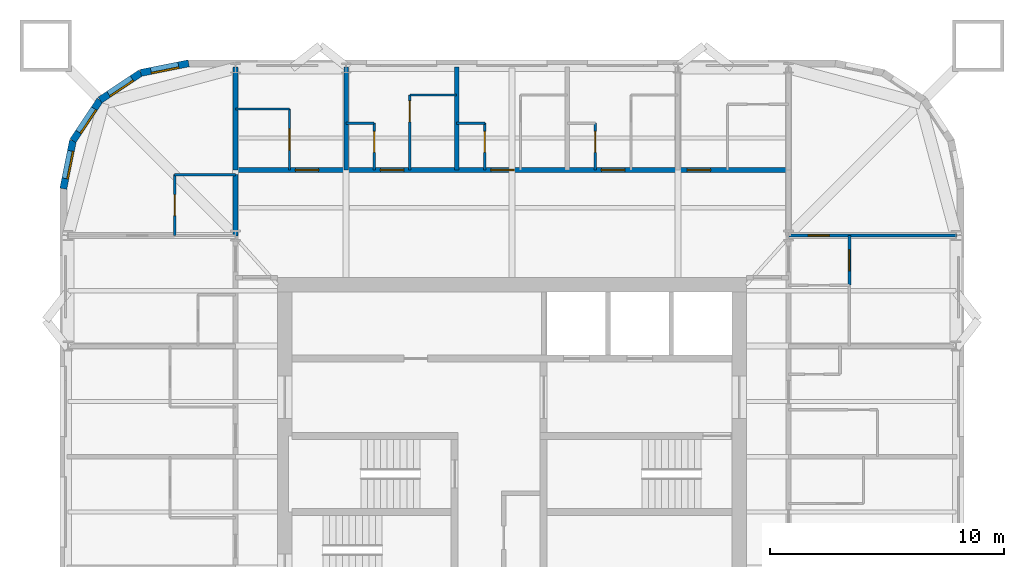
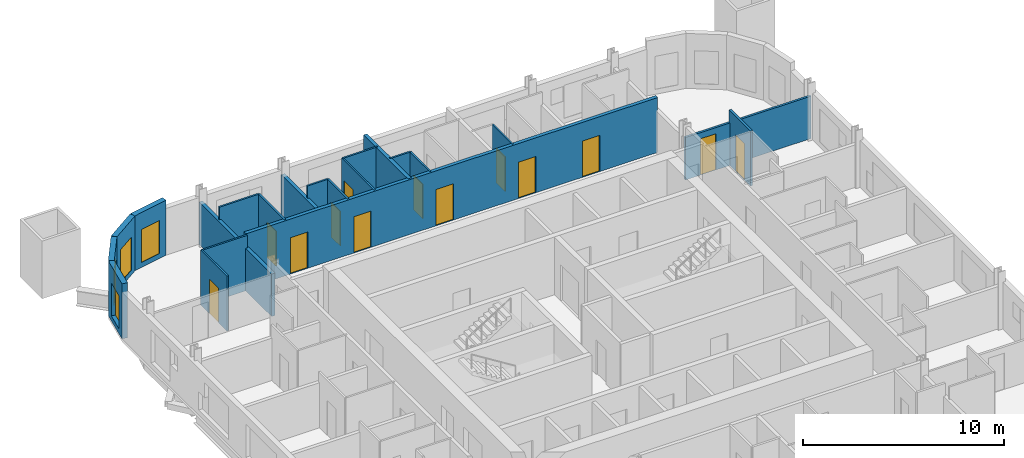
# One storey, part 7 of 10: 22 walls, 13 doors, 4 windows, 17 openings.
"""IFC4 building model written with IfcOpenShell, lengths in metres."""

from ifc_helpers import new_model, si_unit, direction, frame, frame_2d, origin, place, context, subcontext, project, spatial, rectangle, extrude, material, layer, layer_set, type_object, element, fill, save


model = new_model("IFC4")

# Units and contexts
model_context = context("Model", 3, precision=1e-05, world=origin(), true_north=direction((0.0, 1.0)))
body_context = subcontext(model_context, "Body", "Model", "MODEL_VIEW")
ifc_project = project(units=[si_unit("LENGTHUNIT", "METRE"), si_unit("AREAUNIT", "SQUARE_METRE"), si_unit("VOLUMEUNIT", "CUBIC_METRE"), si_unit("PLANEANGLEUNIT", "RADIAN"), si_unit("MASSUNIT", "GRAM", prefix="KILO")], contexts=[model_context])

# Site, building, storey
site_placement = place(None, origin())
site = spatial("IfcSite", under=ifc_project, at=site_placement, CompositionType="ELEMENT")
building_placement = place(site_placement, origin())
building = spatial("IfcBuilding", under=site, at=building_placement, Name="Turquesa Mirador Hotel Tower", CompositionType="ELEMENT")
storey_placement = place(building_placement, frame((0.0, 0.0, 179.300048828125)))
storey = spatial("IfcBuildingStorey", under=building, at=storey_placement, Name="L48", CompositionType="ELEMENT", Elevation=179.300048828125)

# Walls
ifc_material_1 = material(Name="Gypsum board on steel studs", Category="steel")
ifc_layer_1 = layer(ifc_material_1, 0.10009765625)
ifc_layer_set_1 = layer_set([ifc_layer_1], Name="BATHROOM WALL 100")
wall_type_1 = type_object("IfcWallType", Name="BATHROOM WALL 100", PredefinedType="PARTITIONING", material=ifc_layer_set_1)
wall_1_placement = place(storey_placement, frame((40.60009765625, 59.39990234375, 0.0), z_axis=(0.0, 0.0, 1.0), x_axis=(1.0, 0.0, 0.0)))
element("IfcWall", 1, at=wall_1_placement, inside=storey, type_object=wall_type_1, Name="Partition L48 029", PredefinedType="PARTITIONING", context=body_context, shape_type="SweptSolid", body=[
    extrude(rectangle(XDim=2.599853515625, YDim=0.10009765625, at=frame_2d((1.2998046875, 0.0))), origin(), (0.0, 0.0, 1.0), 3.329833984375),
])
for number, where, z_axis, x_axis, name in (
    (2, (47.919921875, 61.60009765625, 0.0), (0.0, 0.0, 1.0), (1.0, 0.0, 0.0), "Partition L48 031"),
    (3, (52.639892578125, 61.60009765625, 0.0), (0.0, 0.0, 1.0), (1.0, 0.0, 0.0), "Partition L48 032"),
):
    element("IfcWall", number, at=place(storey_placement, frame(where, z_axis=z_axis, x_axis=x_axis)), inside=storey, type_object=wall_type_1, Name=name, PredefinedType="PARTITIONING", context=body_context, shape_type="SweptSolid", body=[
        extrude(rectangle(XDim=1.2001953125, YDim=0.10009765625, at=frame_2d((0.60009765625, 0.0))), origin(), (0.0, 0.0, 1.0), 3.329833984375),
    ])
wall_2_placement = place(storey_placement, frame((43.199951171875, 62.199951171875, 0.0), z_axis=(0.0, 0.0, 1.0), x_axis=(1.0, 0.0, 0.0)))
element("IfcWall", 4, at=wall_2_placement, inside=storey, type_object=wall_type_1, Name="Partition L48 034", PredefinedType="PARTITIONING", context=body_context, shape_type="SweptSolid", body=[
    extrude(rectangle(XDim=2.300048828125, YDim=0.10009765625, at=frame_2d((1.14990234375, 0.0))), origin(), (0.0, 0.0, 1.0), 3.329833984375),
])
wall_3_placement = place(storey_placement, frame((50.639892578125, 62.800048828125, 0.0), z_axis=(0.0, 0.0, 1.0), x_axis=(1.0, 0.0, 0.0)))
element("IfcWall", 5, at=wall_3_placement, inside=storey, type_object=wall_type_1, Name="Partition L48 036", PredefinedType="PARTITIONING", context=body_context, shape_type="SweptSolid", body=[
    extrude(rectangle(XDim=2.0, YDim=0.10009765625, at=frame_2d((1.0, 0.0))), origin(), (0.0, 0.0, 1.0), 3.329833984375),
])

# Wall, opening, door
wall_4_placement = place(storey_placement, frame((53.840087890625, 59.60009765625, 0.0), z_axis=(0.0, 0.0, 1.0), x_axis=(0.0, 1.0, 0.0)))
wall_4 = element("IfcWall", 6, at=wall_4_placement, inside=storey, type_object=wall_type_1, Name="Partition L48 048", PredefinedType="PARTITIONING", context=body_context, shape_type="SweptSolid", body=[
    extrude(rectangle(XDim=2.0, YDim=0.10009765625, at=frame_2d((1.0, 0.0))), origin(), (0.0, 0.0, 1.0), 3.329833984375),
])
opening_1_placement = place(wall_4_placement, frame((0.75, 0.0, 0.0)))
opening_1 = element("IfcOpeningElement", 7, at=opening_1_placement, cuts=wall_4, Name="Opening D06", PredefinedType="OPENING", context=body_context, shape_type="SweptSolid", body=[
    extrude(rectangle(XDim=0.89990234375, YDim=2.10009765625, at=frame_2d((0.449951171875, 1.050048828125))), frame((0.0, 0.06005859375, 0.0), z_axis=(0.0, -1.0, 0.0), x_axis=(1.0, 0.0, 0.0)), (0.0, 0.0, 1.0), 0.1201171875),
])
ifc_material_2 = material(Name="Laminate door", Category="wood")
door_type_1 = type_object("IfcDoorType", Name="DOOR 900X2100 WC", OperationType="SINGLE_SWING_LEFT", PredefinedType="DOOR", material=ifc_material_2)
door_1_placement = place(opening_1_placement, origin())
door_1 = element("IfcDoor", 8, at=door_1_placement, inside=storey, type_object=door_type_1, Name="Door 4803W", OperationType="SINGLE_SWING_LEFT", OverallHeight=2.10009765625, OverallWidth=0.89990234375, PredefinedType="DOOR", context=body_context, shape_type="SweptSolid", body=[
    extrude(rectangle(XDim=0.89990234375, YDim=2.10009765625, at=frame_2d((0.449951171875, 1.050048828125))), frame((0.0, 0.02490234375, 0.0), z_axis=(0.0, -1.0, 0.0), x_axis=(1.0, 0.0, 0.0)), (0.0, 0.0, 1.0), 0.050048828125),
])
fill(opening_1, door_1)

wall_5_placement = place(storey_placement, frame((40.60009765625, 56.800048828125, 0.0), z_axis=(0.0, 0.0, 1.0), x_axis=(0.0, 1.0, 0.0)))
wall_5 = element("IfcWall", 9, at=wall_5_placement, inside=storey, type_object=wall_type_1, Name="Partition L48 056", PredefinedType="PARTITIONING", context=body_context, shape_type="SweptSolid", body=[
    extrude(rectangle(XDim=2.599853515625, YDim=0.10009765625, at=frame_2d((1.2998046875, 0.0))), origin(), (0.0, 0.0, 1.0), 3.329833984375),
])
opening_2_placement = place(wall_5_placement, frame((0.85009765625, 0.0, 0.0)))
opening_2 = element("IfcOpeningElement", 10, at=opening_2_placement, cuts=wall_5, Name="Opening D02", PredefinedType="OPENING", context=body_context, shape_type="SweptSolid", body=[
    extrude(rectangle(XDim=0.89990234375, YDim=2.10009765625, at=frame_2d((0.449951171875, 1.050048828125))), frame((0.0, 0.06005859375, 0.0), z_axis=(0.0, -1.0, 0.0), x_axis=(1.0, 0.0, 0.0)), (0.0, 0.0, 1.0), 0.1201171875),
])
ifc_material_3 = material(Name="Timber veneered door", Category="wood")
door_type_2 = type_object("IfcDoorType", Name="DOOR 900X2100 EN-SUITE", OperationType="SINGLE_SWING_RIGHT", PredefinedType="DOOR", material=ifc_material_3)
door_2_placement = place(opening_2_placement, origin())
door_2 = element("IfcDoor", 11, at=door_2_placement, inside=storey, type_object=door_type_2, Name="Door 4816B", OperationType="SINGLE_SWING_RIGHT", OverallHeight=2.10009765625, OverallWidth=0.89990234375, PredefinedType="DOOR", context=body_context, shape_type="SweptSolid", body=[
    extrude(rectangle(XDim=0.89990234375, YDim=2.10009765625, at=frame_2d((0.449951171875, 1.050048828125))), frame((0.0, 0.02490234375, 0.0), z_axis=(0.0, -1.0, 0.0), x_axis=(1.0, 0.0, 0.0)), (0.0, 0.0, 1.0), 0.050048828125),
])
fill(opening_2, door_2)

wall_6_placement = place(storey_placement, frame((50.639892578125, 59.60009765625, 0.0), z_axis=(0.0, 0.0, 1.0), x_axis=(0.0, 1.0, 0.0)))
wall_6 = element("IfcWall", 12, at=wall_6_placement, inside=storey, type_object=wall_type_1, Name="Partition L48 062", PredefinedType="PARTITIONING", context=body_context, shape_type="SweptSolid", body=[
    extrude(rectangle(XDim=3.199951171875, YDim=0.10009765625, at=frame_2d((1.60009765625, 0.0))), origin(), (0.0, 0.0, 1.0), 3.329833984375),
])
opening_3_placement = place(wall_6_placement, frame((2.050048828125, 0.0, 0.0)))
opening_3 = element("IfcOpeningElement", 13, at=opening_3_placement, cuts=wall_6, Name="Opening D02", PredefinedType="OPENING", context=body_context, shape_type="SweptSolid", body=[
    extrude(rectangle(XDim=0.89990234375, YDim=2.10009765625, at=frame_2d((0.449951171875, 1.050048828125))), frame((0.0, 0.06005859375, 0.0), z_axis=(0.0, -1.0, 0.0), x_axis=(1.0, 0.0, 0.0)), (0.0, 0.0, 1.0), 0.1201171875),
])
door_3_placement = place(opening_3_placement, origin())
door_3 = element("IfcDoor", 14, at=door_3_placement, inside=storey, type_object=door_type_2, Name="Door 4802B", OperationType="SINGLE_SWING_RIGHT", OverallHeight=2.10009765625, OverallWidth=0.89990234375, PredefinedType="DOOR", context=body_context, shape_type="SweptSolid", body=[
    extrude(rectangle(XDim=0.89990234375, YDim=2.10009765625, at=frame_2d((0.449951171875, 1.050048828125))), frame((0.0, 0.02490234375, 0.0), z_axis=(0.0, -1.0, 0.0), x_axis=(1.0, 0.0, 0.0)), (0.0, 0.0, 1.0), 0.050048828125),
])
fill(opening_3, door_3)

wall_7_placement = place(storey_placement, frame((49.1201171875, 59.60009765625, 0.0), z_axis=(0.0, 0.0, 1.0), x_axis=(0.0, 1.0, 0.0)))
wall_7 = element("IfcWall", 15, at=wall_7_placement, inside=storey, type_object=wall_type_1, Name="Partition L48 064", PredefinedType="PARTITIONING", context=body_context, shape_type="SweptSolid", body=[
    extrude(rectangle(XDim=2.0, YDim=0.10009765625, at=frame_2d((1.0, 0.0))), origin(), (0.0, 0.0, 1.0), 3.329833984375),
])
opening_4_placement = place(wall_7_placement, frame((0.75, 0.0, 0.0)))
opening_4 = element("IfcOpeningElement", 16, at=opening_4_placement, cuts=wall_7, Name="Opening D06", PredefinedType="OPENING", context=body_context, shape_type="SweptSolid", body=[
    extrude(rectangle(XDim=0.89990234375, YDim=2.10009765625, at=frame_2d((0.449951171875, 1.050048828125))), frame((0.0, 0.06005859375, 0.0), z_axis=(0.0, -1.0, 0.0), x_axis=(1.0, 0.0, 0.0)), (0.0, 0.0, 1.0), 0.1201171875),
])
door_4_placement = place(opening_4_placement, origin())
door_4 = element("IfcDoor", 17, at=door_4_placement, inside=storey, type_object=door_type_1, Name="Door 4802W", OperationType="SINGLE_SWING_LEFT", OverallHeight=2.10009765625, OverallWidth=0.89990234375, PredefinedType="DOOR", context=body_context, shape_type="SweptSolid", body=[
    extrude(rectangle(XDim=0.89990234375, YDim=2.10009765625, at=frame_2d((0.449951171875, 1.050048828125))), frame((0.0, 0.02490234375, 0.0), z_axis=(0.0, -1.0, 0.0), x_axis=(1.0, 0.0, 0.0)), (0.0, 0.0, 1.0), 0.050048828125),
])
fill(opening_4, door_4)

wall_8_placement = place(storey_placement, frame((45.5, 59.60009765625, 0.0), z_axis=(0.0, 0.0, 1.0), x_axis=(0.0, 1.0, 0.0)))
wall_8 = element("IfcWall", 18, at=wall_8_placement, inside=storey, type_object=wall_type_1, Name="Partition L48 069", PredefinedType="PARTITIONING", context=body_context, shape_type="SweptSolid", body=[
    extrude(rectangle(XDim=2.599853515625, YDim=0.10009765625, at=frame_2d((1.2998046875, 0.0))), origin(), (0.0, 0.0, 1.0), 3.329833984375),
])
opening_5_placement = place(wall_8_placement, frame((0.85009765625, 0.0, 0.0)))
opening_5 = element("IfcOpeningElement", 19, at=opening_5_placement, cuts=wall_8, Name="Opening D02", PredefinedType="OPENING", context=body_context, shape_type="SweptSolid", body=[
    extrude(rectangle(XDim=0.89990234375, YDim=2.10009765625, at=frame_2d((0.449951171875, 1.050048828125))), frame((0.0, 0.06005859375, 0.0), z_axis=(0.0, -1.0, 0.0), x_axis=(1.0, 0.0, 0.0)), (0.0, 0.0, 1.0), 0.1201171875),
])
door_5_placement = place(opening_5_placement, origin())
door_5 = element("IfcDoor", 20, at=door_5_placement, inside=storey, type_object=door_type_2, Name="Door 4801B", OperationType="SINGLE_SWING_RIGHT", OverallHeight=2.10009765625, OverallWidth=0.89990234375, PredefinedType="DOOR", context=body_context, shape_type="SweptSolid", body=[
    extrude(rectangle(XDim=0.89990234375, YDim=2.10009765625, at=frame_2d((0.449951171875, 1.050048828125))), frame((0.0, 0.02490234375, 0.0), z_axis=(0.0, -1.0, 0.0), x_axis=(1.0, 0.0, 0.0)), (0.0, 0.0, 1.0), 0.050048828125),
])
fill(opening_5, door_5)

wall_9_placement = place(storey_placement, frame((58.56005859375, 59.60009765625, 0.0), z_axis=(0.0, 0.0, 1.0), x_axis=(0.0, 1.0, 0.0)))
wall_9 = element("IfcWall", 21, at=wall_9_placement, inside=storey, type_object=wall_type_1, Name="Partition L48 087", PredefinedType="PARTITIONING", context=body_context, shape_type="SweptSolid", body=[
    extrude(rectangle(XDim=2.0, YDim=0.10009765625, at=frame_2d((1.0, 0.0))), origin(), (0.0, 0.0, 1.0), 3.329833984375),
])
opening_6_placement = place(wall_9_placement, frame((0.75, 0.0, 0.0)))
opening_6 = element("IfcOpeningElement", 22, at=opening_6_placement, cuts=wall_9, Name="Opening D06", PredefinedType="OPENING", context=body_context, shape_type="SweptSolid", body=[
    extrude(rectangle(XDim=0.89990234375, YDim=2.10009765625, at=frame_2d((0.449951171875, 1.050048828125))), frame((0.0, 0.06005859375, 0.0), z_axis=(0.0, -1.0, 0.0), x_axis=(1.0, 0.0, 0.0)), (0.0, 0.0, 1.0), 0.1201171875),
])
door_6_placement = place(opening_6_placement, origin())
door_6 = element("IfcDoor", 23, at=door_6_placement, inside=storey, type_object=door_type_1, Name="Door 4804W", OperationType="SINGLE_SWING_LEFT", OverallHeight=2.10009765625, OverallWidth=0.89990234375, PredefinedType="DOOR", context=body_context, shape_type="SweptSolid", body=[
    extrude(rectangle(XDim=0.89990234375, YDim=2.10009765625, at=frame_2d((0.449951171875, 1.050048828125))), frame((0.0, 0.02490234375, 0.0), z_axis=(0.0, -1.0, 0.0), x_axis=(1.0, 0.0, 0.0)), (0.0, 0.0, 1.0), 0.050048828125),
])
fill(opening_6, door_6)

# Wall, openings, doors
ifc_material_4 = material(Name="Fire-rated gypsum board on steel studs", Category="steel")
ifc_layer_2 = layer(ifc_material_4, 0.199951171875)
ifc_layer_set_2 = layer_set([ifc_layer_2], Name="CORRIDOR WALL 200")
wall_type_2 = type_object("IfcWallType", Name="CORRIDOR WALL 200", PredefinedType="PARTITIONING", material=ifc_layer_set_2)
wall_10_placement = place(storey_placement, frame((43.199951171875, 59.60009765625, 0.0), z_axis=(0.0, 0.0, 1.0), x_axis=(1.0, 0.0, 0.0)))
wall_10 = element("IfcWall", 24, at=wall_10_placement, inside=storey, type_object=wall_type_2, Name="Partition L48 030", PredefinedType="PARTITIONING", context=body_context, shape_type="SweptSolid", body=[
    extrude(rectangle(XDim=23.60009765625, YDim=0.199951171875, at=frame_2d((11.800048828125, 0.0))), origin(), (0.0, 0.0, 1.0), 3.329833984375),
])
opening_7_placement = place(wall_10_placement, frame((2.550048828125, 0.0, 0.0)))
opening_7 = element("IfcOpeningElement", 25, at=opening_7_placement, cuts=wall_10, Name="Opening D01", PredefinedType="OPENING", context=body_context, shape_type="SweptSolid", body=[
    extrude(rectangle(XDim=1.0, YDim=2.199951171875, at=frame_2d((0.5, 1.10009765625))), frame((0.0, 0.10986328125, 0.0), z_axis=(0.0, -1.0, 0.0), x_axis=(1.0, 0.0, 0.0)), (0.0, 0.0, 1.0), 0.219970703125),
])
opening_8_placement = place(wall_10_placement, frame((6.179931640625, 0.0, 0.0)))
opening_8 = element("IfcOpeningElement", 26, at=opening_8_placement, cuts=wall_10, Name="Opening D01", PredefinedType="OPENING", context=body_context, shape_type="SweptSolid", body=[
    extrude(rectangle(XDim=1.0, YDim=2.199951171875, at=frame_2d((0.5, 1.10009765625))), frame((0.0, 0.10986328125, 0.0), z_axis=(0.0, -1.0, 0.0), x_axis=(1.0, 0.0, 0.0)), (0.0, 0.0, 1.0), 0.219970703125),
])
opening_9_placement = place(wall_10_placement, frame((10.89990234375, 0.0, 0.0)))
opening_9 = element("IfcOpeningElement", 27, at=opening_9_placement, cuts=wall_10, Name="Opening D01", PredefinedType="OPENING", context=body_context, shape_type="SweptSolid", body=[
    extrude(rectangle(XDim=1.0, YDim=2.199951171875, at=frame_2d((0.5, 1.10009765625))), frame((0.0, 0.10986328125, 0.0), z_axis=(0.0, -1.0, 0.0), x_axis=(1.0, 0.0, 0.0)), (0.0, 0.0, 1.0), 0.219970703125),
])
opening_10_placement = place(wall_10_placement, frame((15.6201171875, 0.0, 0.0)))
opening_10 = element("IfcOpeningElement", 28, at=opening_10_placement, cuts=wall_10, Name="Opening D01", PredefinedType="OPENING", context=body_context, shape_type="SweptSolid", body=[
    extrude(rectangle(XDim=1.0, YDim=2.199951171875, at=frame_2d((0.5, 1.10009765625))), frame((0.0, 0.10986328125, 0.0), z_axis=(0.0, -1.0, 0.0), x_axis=(1.0, 0.0, 0.0)), (0.0, 0.0, 1.0), 0.219970703125),
])
opening_11_placement = place(wall_10_placement, frame((19.280029296875, 0.0, 0.0)))
opening_11 = element("IfcOpeningElement", 29, at=opening_11_placement, cuts=wall_10, Name="Opening D01", PredefinedType="OPENING", context=body_context, shape_type="SweptSolid", body=[
    extrude(rectangle(XDim=1.0, YDim=2.199951171875, at=frame_2d((0.5, 1.10009765625))), frame((0.0, 0.10986328125, 0.0), z_axis=(0.0, -1.0, 0.0), x_axis=(1.0, 0.0, 0.0)), (0.0, 0.0, 1.0), 0.219970703125),
])
ifc_material_5 = material(Name="Timber veneered fire door", Category="wood")
door_type_3 = type_object("IfcDoorType", Name="DOOR 1000X2200 GUEST ENTRY", OperationType="SINGLE_SWING_LEFT", PredefinedType="DOOR", material=ifc_material_5)
door_7_placement = place(opening_7_placement, origin())
door_7 = element("IfcDoor", 30, at=door_7_placement, inside=storey, type_object=door_type_3, Name="Door 4801", OperationType="SINGLE_SWING_LEFT", OverallHeight=2.199951171875, OverallWidth=1.0, PredefinedType="DOOR", context=body_context, shape_type="SweptSolid", body=[
    extrude(rectangle(XDim=1.0, YDim=2.199951171875, at=frame_2d((0.5, 1.10009765625))), frame((0.0, 0.02490234375, 0.0), z_axis=(0.0, -1.0, 0.0), x_axis=(1.0, 0.0, 0.0)), (0.0, 0.0, 1.0), 0.050048828125),
])
fill(opening_7, door_7)
door_8_placement = place(opening_8_placement, origin())
door_8 = element("IfcDoor", 31, at=door_8_placement, inside=storey, type_object=door_type_3, Name="Door 4802", OperationType="SINGLE_SWING_LEFT", OverallHeight=2.199951171875, OverallWidth=1.0, PredefinedType="DOOR", context=body_context, shape_type="SweptSolid", body=[
    extrude(rectangle(XDim=1.0, YDim=2.199951171875, at=frame_2d((0.5, 1.10009765625))), frame((0.0, 0.02490234375, 0.0), z_axis=(0.0, -1.0, 0.0), x_axis=(1.0, 0.0, 0.0)), (0.0, 0.0, 1.0), 0.050048828125),
])
fill(opening_8, door_8)
door_9_placement = place(opening_9_placement, origin())
door_9 = element("IfcDoor", 32, at=door_9_placement, inside=storey, type_object=door_type_3, Name="Door 4803", OperationType="SINGLE_SWING_LEFT", OverallHeight=2.199951171875, OverallWidth=1.0, PredefinedType="DOOR", context=body_context, shape_type="SweptSolid", body=[
    extrude(rectangle(XDim=1.0, YDim=2.199951171875, at=frame_2d((0.5, 1.10009765625))), frame((0.0, 0.02490234375, 0.0), z_axis=(0.0, -1.0, 0.0), x_axis=(1.0, 0.0, 0.0)), (0.0, 0.0, 1.0), 0.050048828125),
])
fill(opening_9, door_9)
door_10_placement = place(opening_10_placement, origin())
door_10 = element("IfcDoor", 33, at=door_10_placement, inside=storey, type_object=door_type_3, Name="Door 4804", OperationType="SINGLE_SWING_LEFT", OverallHeight=2.199951171875, OverallWidth=1.0, PredefinedType="DOOR", context=body_context, shape_type="SweptSolid", body=[
    extrude(rectangle(XDim=1.0, YDim=2.199951171875, at=frame_2d((0.5, 1.10009765625))), frame((0.0, 0.02490234375, 0.0), z_axis=(0.0, -1.0, 0.0), x_axis=(1.0, 0.0, 0.0)), (0.0, 0.0, 1.0), 0.050048828125),
])
fill(opening_10, door_10)
door_11_placement = place(opening_11_placement, origin())
door_11 = element("IfcDoor", 34, at=door_11_placement, inside=storey, type_object=door_type_3, Name="Door 4805", OperationType="SINGLE_SWING_LEFT", OverallHeight=2.199951171875, OverallWidth=1.0, PredefinedType="DOOR", context=body_context, shape_type="SweptSolid", body=[
    extrude(rectangle(XDim=1.0, YDim=2.199951171875, at=frame_2d((0.5, 1.10009765625))), frame((0.0, 0.02490234375, 0.0), z_axis=(0.0, -1.0, 0.0), x_axis=(1.0, 0.0, 0.0)), (0.0, 0.0, 1.0), 0.050048828125),
])
fill(opening_11, door_11)

# Wall
wall_11_placement = place(storey_placement, frame((43.199951171875, 56.780029296875, 0.0), z_axis=(0.0, 0.0, 1.0), x_axis=(0.0, 1.0, 0.0)))
element("IfcWall", 35, at=wall_11_placement, inside=storey, type_object=wall_type_2, Name="Partition L48 092", PredefinedType="PARTITIONING", context=body_context, shape_type="SweptSolid", body=[
    extrude(rectangle(XDim=2.619873046875, YDim=0.199951171875, at=frame_2d((1.31005859375, 0.0))), origin(), (0.0, 0.0, 1.0), 2.572998046875),
])

# Wall, opening, window
ifc_material_6 = material(Name="Limestone cladding on concrete block", Category="masonry")
ifc_layer_3 = layer(ifc_material_6, 0.300048828125)
ifc_layer_set_3 = layer_set([ifc_layer_3], Name="FACADE WALL 300 STONE SCREEN")
wall_type_3 = type_object("IfcWallType", Name="FACADE WALL 300 STONE SCREEN", PredefinedType="SOLIDWALL", material=ifc_layer_set_3)
wall_12_placement = place(storey_placement, frame((41.199951171875, 64.14990234375, 0.0), z_axis=(0.0, 0.0, 1.0), x_axis=(-0.980787050784, -0.195081421501, 0.0)))
wall_12 = element("IfcWall", 36, at=wall_12_placement, inside=storey, type_object=wall_type_3, Name="Facade wall L48 10", PredefinedType="SOLIDWALL", context=body_context, shape_type="SweptSolid", body=[
    extrude(rectangle(XDim=2.08740234375, YDim=0.300048828125, at=frame_2d((1.043701171875, 0.0))), origin(), (0.0, 0.0, 1.0), 3.329833984375),
])
opening_12_placement = place(wall_12_placement, frame((0.443603515625, 0.0, 0.300048828125)))
opening_12 = element("IfcOpeningElement", 37, at=opening_12_placement, cuts=wall_12, Name="Opening WN4", PredefinedType="OPENING", context=body_context, shape_type="SweptSolid", body=[
    extrude(rectangle(XDim=1.199951171875, YDim=2.0, at=frame_2d((0.60009765625, 1.0))), frame((0.0, 0.159912109375, 0.0), z_axis=(0.0, -1.0, 0.0), x_axis=(1.0, 0.0, 0.0)), (0.0, 0.0, 1.0), 0.320068359375),
])
ifc_material_7 = material(Name="Ceramic-fritted laminated glass", Category="glass")
window_type = type_object("IfcWindowType", Name="FRITTED CORNER WINDOW 1200X2000", PartitioningType="DOUBLE_PANEL_HORIZONTAL", PredefinedType="WINDOW", material=ifc_material_7)
window_1_placement = place(opening_12_placement, origin())
window_1 = element("IfcWindow", 38, at=window_1_placement, inside=storey, type_object=window_type, Name="Window L48", OverallHeight=2.0, OverallWidth=1.199951171875, PartitioningType="SINGLE_PANEL", PredefinedType="WINDOW", context=body_context, shape_type="SweptSolid", body=[
    extrude(rectangle(XDim=1.199951171875, YDim=2.0, at=frame_2d((0.60009765625, 1.0))), frame((0.0, 0.130126953125, 0.0), z_axis=(0.0, -1.0, 0.0), x_axis=(1.0, 0.0, 0.0)), (0.0, 0.0, 1.0), 0.06005859375),
])
fill(opening_12, window_1)

wall_13_placement = place(storey_placement, frame((39.152587890625, 63.74267578125, 0.0), z_axis=(0.0, 0.0, 1.0), x_axis=(-0.831474039234, -0.555563607591, 0.0)))
wall_13 = element("IfcWall", 39, at=wall_13_placement, inside=storey, type_object=wall_type_3, Name="Facade wall L48 11", PredefinedType="SOLIDWALL", context=body_context, shape_type="SweptSolid", body=[
    extrude(rectangle(XDim=2.08740234375, YDim=0.300048828125, at=frame_2d((1.043701171875, 0.0))), origin(), (0.0, 0.0, 1.0), 3.329833984375),
])
opening_13_placement = place(wall_13_placement, frame((0.443603515625, 0.0, 0.300048828125)))
opening_13 = element("IfcOpeningElement", 40, at=opening_13_placement, cuts=wall_13, Name="Opening WN4", PredefinedType="OPENING", context=body_context, shape_type="SweptSolid", body=[
    extrude(rectangle(XDim=1.199951171875, YDim=2.0, at=frame_2d((0.60009765625, 1.0))), frame((0.0, 0.159912109375, 0.0), z_axis=(0.0, -1.0, 0.0), x_axis=(1.0, 0.0, 0.0)), (0.0, 0.0, 1.0), 0.320068359375),
])
window_2_placement = place(opening_13_placement, origin())
window_2 = element("IfcWindow", 41, at=window_2_placement, inside=storey, type_object=window_type, Name="Window L48", OverallHeight=2.0, OverallWidth=1.199951171875, PartitioningType="SINGLE_PANEL", PredefinedType="WINDOW", context=body_context, shape_type="SweptSolid", body=[
    extrude(rectangle(XDim=1.199951171875, YDim=2.0, at=frame_2d((0.60009765625, 1.0))), frame((0.0, 0.130126953125, 0.0), z_axis=(0.0, -1.0, 0.0), x_axis=(1.0, 0.0, 0.0)), (0.0, 0.0, 1.0), 0.06005859375),
])
fill(opening_13, window_2)

wall_14_placement = place(storey_placement, frame((37.4169921875, 62.5830078125, 0.0), z_axis=(0.0, 0.0, 1.0), x_axis=(-0.555563607591, -0.831474039234, 0.0)))
wall_14 = element("IfcWall", 42, at=wall_14_placement, inside=storey, type_object=wall_type_3, Name="Facade wall L48 12", PredefinedType="SOLIDWALL", context=body_context, shape_type="SweptSolid", body=[
    extrude(rectangle(XDim=2.08740234375, YDim=0.300048828125, at=frame_2d((1.043701171875, 0.0))), origin(), (0.0, 0.0, 1.0), 3.329833984375),
])
opening_14_placement = place(wall_14_placement, frame((0.443603515625, 0.0, 0.300048828125)))
opening_14 = element("IfcOpeningElement", 43, at=opening_14_placement, cuts=wall_14, Name="Opening WN4", PredefinedType="OPENING", context=body_context, shape_type="SweptSolid", body=[
    extrude(rectangle(XDim=1.199951171875, YDim=2.0, at=frame_2d((0.60009765625, 1.0))), frame((0.0, 0.159912109375, 0.0), z_axis=(0.0, -1.0, 0.0), x_axis=(1.0, 0.0, 0.0)), (0.0, 0.0, 1.0), 0.320068359375),
])
window_3_placement = place(opening_14_placement, origin())
window_3 = element("IfcWindow", 44, at=window_3_placement, inside=storey, type_object=window_type, Name="Window L48", OverallHeight=2.0, OverallWidth=1.199951171875, PartitioningType="SINGLE_PANEL", PredefinedType="WINDOW", context=body_context, shape_type="SweptSolid", body=[
    extrude(rectangle(XDim=1.199951171875, YDim=2.0, at=frame_2d((0.60009765625, 1.0))), frame((0.0, 0.130126953125, 0.0), z_axis=(0.0, -1.0, 0.0), x_axis=(1.0, 0.0, 0.0)), (0.0, 0.0, 1.0), 0.06005859375),
])
fill(opening_14, window_3)

wall_15_placement = place(storey_placement, frame((36.25732421875, 60.847412109375, 0.0), z_axis=(0.0, 0.0, 1.0), x_axis=(-0.195081421501, -0.980787050784, 0.0)))
wall_15 = element("IfcWall", 45, at=wall_15_placement, inside=storey, type_object=wall_type_3, Name="Facade wall L48 13", PredefinedType="SOLIDWALL", context=body_context, shape_type="SweptSolid", body=[
    extrude(rectangle(XDim=2.08740234375, YDim=0.300048828125, at=frame_2d((1.043701171875, 0.0))), origin(), (0.0, 0.0, 1.0), 3.329833984375),
])
opening_15_placement = place(wall_15_placement, frame((0.443603515625, 0.0, 0.300048828125)))
opening_15 = element("IfcOpeningElement", 46, at=opening_15_placement, cuts=wall_15, Name="Opening WN4", PredefinedType="OPENING", context=body_context, shape_type="SweptSolid", body=[
    extrude(rectangle(XDim=1.199951171875, YDim=2.0, at=frame_2d((0.60009765625, 1.0))), frame((0.0, 0.159912109375, 0.0), z_axis=(0.0, -1.0, 0.0), x_axis=(1.0, 0.0, 0.0)), (0.0, 0.0, 1.0), 0.320068359375),
])
window_4_placement = place(opening_15_placement, origin())
window_4 = element("IfcWindow", 47, at=window_4_placement, inside=storey, type_object=window_type, Name="Window L48", OverallHeight=2.0, OverallWidth=1.199951171875, PartitioningType="SINGLE_PANEL", PredefinedType="WINDOW", context=body_context, shape_type="SweptSolid", body=[
    extrude(rectangle(XDim=1.199951171875, YDim=2.0, at=frame_2d((0.60009765625, 1.0))), frame((0.0, 0.130126953125, 0.0), z_axis=(0.0, -1.0, 0.0), x_axis=(1.0, 0.0, 0.0)), (0.0, 0.0, 1.0), 0.06005859375),
])
fill(opening_15, window_4)

# Walls
ifc_material_8 = material(Name="Fire-rated gypsum board on steel studs", Category="steel")
ifc_layer_4 = layer(ifc_material_8, 0.199951171875)
ifc_layer_set_4 = layer_set([ifc_layer_4], Name="PARTY WALL 200")
wall_type_4 = type_object("IfcWallType", Name="PARTY WALL 200", PredefinedType="PARTITIONING", material=ifc_layer_set_4)
wall_16_placement = place(storey_placement, frame((43.199951171875, 59.60009765625, 0.0), z_axis=(0.0, 0.0, 1.0), x_axis=(0.0, 1.0, 0.0)))
element("IfcWall", 48, at=wall_16_placement, inside=storey, type_object=wall_type_4, Name="Partition L48 052", PredefinedType="PARTITIONING", context=body_context, shape_type="SweptSolid", body=[
    extrude(rectangle(XDim=4.39990234375, YDim=0.199951171875, at=frame_2d((2.199951171875, 0.0))), origin(), (0.0, 0.0, 1.0), 2.572998046875),
])
wall_17_placement = place(storey_placement, frame((52.639892578125, 59.60009765625, 0.0), z_axis=(0.0, 0.0, 1.0), x_axis=(0.0, 1.0, 0.0)))
element("IfcWall", 49, at=wall_17_placement, inside=storey, type_object=wall_type_4, Name="Partition L48 061", PredefinedType="PARTITIONING", context=body_context, shape_type="SweptSolid", body=[
    extrude(rectangle(XDim=4.39990234375, YDim=0.199951171875, at=frame_2d((2.199951171875, 0.0))), origin(), (0.0, 0.0, 1.0), 3.329833984375),
])
wall_18_placement = place(storey_placement, frame((47.919921875, 59.60009765625, 0.0), z_axis=(0.0, 0.0, 1.0), x_axis=(0.0, 1.0, 0.0)))
element("IfcWall", 50, at=wall_18_placement, inside=storey, type_object=wall_type_4, Name="Partition L48 067", PredefinedType="PARTITIONING", context=body_context, shape_type="SweptSolid", body=[
    extrude(rectangle(XDim=4.39990234375, YDim=0.199951171875, at=frame_2d((2.199951171875, 0.0))), origin(), (0.0, 0.0, 1.0), 2.572998046875),
])

# Wall, opening, door
ifc_material_9 = material(Name="Acoustic gypsum board on steel studs", Category="steel")
ifc_layer_5 = layer(ifc_material_9, 0.125)
ifc_layer_set_5 = layer_set([ifc_layer_5], Name="SUITE PARTITION 125")
wall_type_5 = type_object("IfcWallType", Name="SUITE PARTITION 125", PredefinedType="PARTITIONING", material=ifc_layer_set_5)
wall_19_placement = place(storey_placement, frame((66.800048828125, 56.800048828125, 0.0), z_axis=(0.0, 0.0, 1.0), x_axis=(1.0, 0.0, 0.0)))
wall_19 = element("IfcWall", 51, at=wall_19_placement, inside=storey, type_object=wall_type_5, Name="Partition L48 028", PredefinedType="PARTITIONING", context=body_context, shape_type="SweptSolid", body=[
    extrude(rectangle(XDim=7.199951171875, YDim=0.125, at=frame_2d((3.60009765625, 0.0))), origin(), (0.0, 0.0, 1.0), 2.572998046875),
])
opening_16_placement = place(wall_19_placement, frame((0.85009765625, 0.0, 0.0)))
opening_16 = element("IfcOpeningElement", 52, at=opening_16_placement, cuts=wall_19, Name="Opening D17", PredefinedType="OPENING", context=body_context, shape_type="SweptSolid", body=[
    extrude(rectangle(XDim=0.89990234375, YDim=2.199951171875, at=frame_2d((0.449951171875, 1.10009765625))), frame((0.0, 0.072509765625, 0.0), z_axis=(0.0, -1.0, 0.0), x_axis=(1.0, 0.0, 0.0)), (0.0, 0.0, 1.0), 0.14501953125),
])
ifc_material_10 = material(Name="Timber veneered door", Category="wood")
door_type_4 = type_object("IfcDoorType", Name="DOOR 900X2200 SUITE INTERNAL", OperationType="SINGLE_SWING_LEFT", PredefinedType="DOOR", material=ifc_material_10)
door_12_placement = place(opening_16_placement, origin())
door_12 = element("IfcDoor", 53, at=door_12_placement, inside=storey, type_object=door_type_4, Name="Door 4815", OperationType="SINGLE_SWING_LEFT", OverallHeight=2.199951171875, OverallWidth=0.89990234375, PredefinedType="DOOR", context=body_context, shape_type="SweptSolid", body=[
    extrude(rectangle(XDim=0.89990234375, YDim=2.199951171875, at=frame_2d((0.449951171875, 1.10009765625))), frame((0.0, 0.02490234375, 0.0), z_axis=(0.0, -1.0, 0.0), x_axis=(1.0, 0.0, 0.0)), (0.0, 0.0, 1.0), 0.050048828125),
])
fill(opening_16, door_12)

wall_20_placement = place(storey_placement, frame((69.39990234375, 54.679931640625, 0.0), z_axis=(0.0, 0.0, 1.0), x_axis=(0.0, 1.0, 0.0)))
wall_20 = element("IfcWall", 54, at=wall_20_placement, inside=storey, type_object=wall_type_5, Name="Partition L48 081", PredefinedType="PARTITIONING", context=body_context, shape_type="SweptSolid", body=[
    extrude(rectangle(XDim=2.1201171875, YDim=0.125, at=frame_2d((1.06005859375, 0.0))), origin(), (0.0, 0.0, 1.0), 3.329833984375),
])
opening_17_placement = place(wall_20_placement, frame((0.610107421875, 0.0, 0.0)))
opening_17 = element("IfcOpeningElement", 55, at=opening_17_placement, cuts=wall_20, Name="Opening D17", PredefinedType="OPENING", context=body_context, shape_type="SweptSolid", body=[
    extrude(rectangle(XDim=0.89990234375, YDim=2.199951171875, at=frame_2d((0.449951171875, 1.10009765625))), frame((0.0, 0.072509765625, 0.0), z_axis=(0.0, -1.0, 0.0), x_axis=(1.0, 0.0, 0.0)), (0.0, 0.0, 1.0), 0.14501953125),
])
door_13_placement = place(opening_17_placement, origin())
door_13 = element("IfcDoor", 56, at=door_13_placement, inside=storey, type_object=door_type_4, Name="Door 4815R", OperationType="SINGLE_SWING_LEFT", OverallHeight=2.199951171875, OverallWidth=0.89990234375, PredefinedType="DOOR", context=body_context, shape_type="SweptSolid", body=[
    extrude(rectangle(XDim=0.89990234375, YDim=2.199951171875, at=frame_2d((0.449951171875, 1.10009765625))), frame((0.0, 0.02490234375, 0.0), z_axis=(0.0, -1.0, 0.0), x_axis=(1.0, 0.0, 0.0)), (0.0, 0.0, 1.0), 0.050048828125),
])
fill(opening_17, door_13)

save(model, "model.ifc")
